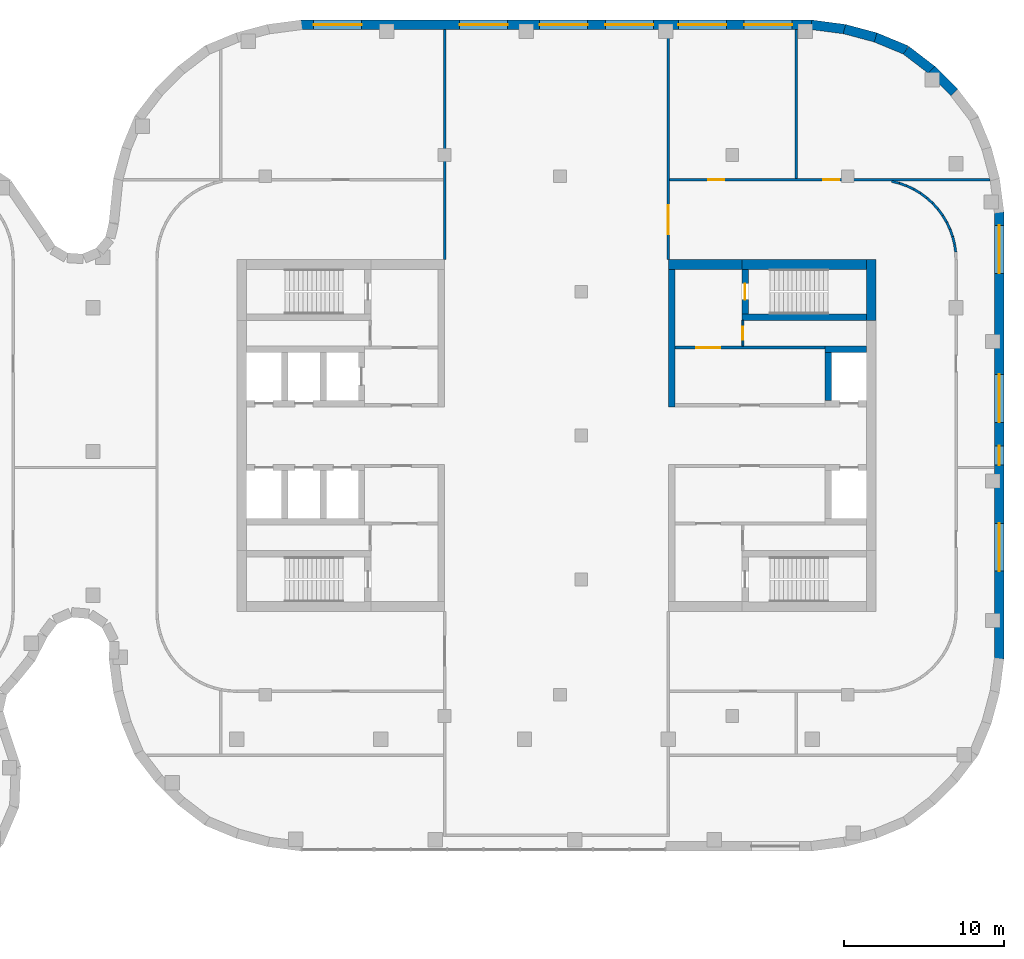
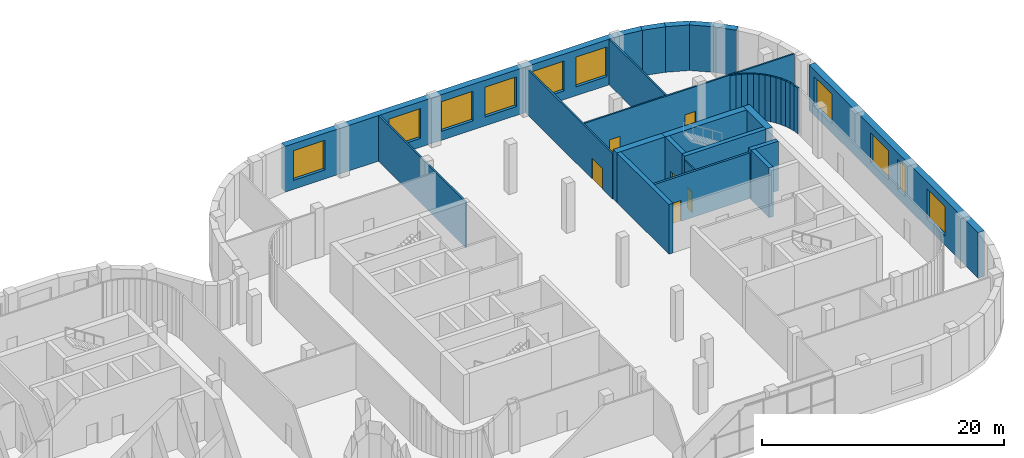
# One storey, part 20 of 24: 34 walls, 10 windows, 6 doors, 16 openings.
"""IFC4 building model written with IfcOpenShell, lengths in metres."""

from ifc_helpers import new_model, si_unit, direction, frame, frame_2d, origin, place, context, subcontext, project, spatial, rectangle, extrude, material, layer, layer_set, type_object, element, fill, save


model = new_model("IFC4")

# Units and contexts
model_context = context("Model", 3, precision=1e-05, world=origin(), true_north=direction((0.0, 1.0)))
body_context = subcontext(model_context, "Body", "Model", "MODEL_VIEW")
ifc_project = project(units=[si_unit("LENGTHUNIT", "METRE"), si_unit("AREAUNIT", "SQUARE_METRE"), si_unit("VOLUMEUNIT", "CUBIC_METRE"), si_unit("PLANEANGLEUNIT", "RADIAN"), si_unit("MASSUNIT", "GRAM", prefix="KILO")], contexts=[model_context])

# Site, building, storey
site_placement = place(None, origin())
site = spatial("IfcSite", under=ifc_project, at=site_placement, CompositionType="ELEMENT")
building_placement = place(site_placement, origin())
building = spatial("IfcBuilding", under=site, at=building_placement, Name="Skarvind Civic Tower", CompositionType="ELEMENT")
storey_placement = place(building_placement, frame((0.0, 0.0, 12.5)))
storey = spatial("IfcBuildingStorey", under=building, at=storey_placement, Name="L02", CompositionType="ELEMENT", Elevation=12.5)

# Wall, opening, door
ifc_material_1 = material(Name="Fire-rated masonry partition", Category="masonry")
ifc_layer_1 = layer(ifc_material_1, 0.199951171875)
ifc_layer_set_1 = layer_set([ifc_layer_1], Name="Core enclosure wall 200")
wall_type_1 = type_object("IfcWallType", Name="Core enclosure wall 200", PredefinedType="PARTITIONING", material=ifc_layer_set_1)
wall_1_placement = place(storey_placement, frame((154.39990234375, 133.5, 0.0), z_axis=(0.0, 0.0, 1.0), x_axis=(1.0, 0.0, 0.0)))
wall_1 = element("IfcWall", 1, at=wall_1_placement, inside=storey, type_object=wall_type_1, Name="Core wall CB", PredefinedType="PARTITIONING", context=body_context, shape_type="SweptSolid", body=[
    extrude(rectangle(XDim=9.400146484375, YDim=0.199951171875, at=frame_2d((4.7001953125, 0.0))), origin(), (0.0, 0.0, 1.0), 4.60009765625),
])
opening_1_placement = place(wall_1_placement, frame((1.35009765625, 0.0, 0.0)))
opening_1 = element("IfcOpeningElement", 2, at=opening_1_placement, cuts=wall_1, Name="Opening D-L02-CB-08", PredefinedType="OPENING", context=body_context, shape_type="SweptSolid", body=[
    extrude(rectangle(XDim=1.5, YDim=2.10009765625, at=frame_2d((0.75, 1.050048828125))), frame((0.0, 0.10986328125, 0.0), z_axis=(0.0, -1.0, 0.0), x_axis=(1.0, 0.0, 0.0)), (0.0, 0.0, 1.0), 0.219970703125),
])
ifc_material_2 = material(Name="Fire-rated steel door", Category="steel")
door_type_1 = type_object("IfcDoorType", Name="Fire door 1500", OperationType="NOTDEFINED", PredefinedType="DOOR", material=ifc_material_2)
door_1_placement = place(opening_1_placement, origin())
door_1 = element("IfcDoor", 3, at=door_1_placement, inside=storey, type_object=door_type_1, Name="Fire door", OperationType="DOUBLE_DOOR_SINGLE_SWING", OverallHeight=2.10009765625, OverallWidth=1.5, PredefinedType="DOOR", context=body_context, shape_type="SweptSolid", body=[
    extrude(rectangle(XDim=1.5, YDim=2.10009765625, at=frame_2d((0.75, 1.050048828125))), frame((0.0, 0.02490234375, 0.0), z_axis=(0.0, -1.0, 0.0), x_axis=(1.0, 0.0, 0.0)), (0.0, 0.0, 1.0), 0.050048828125),
])
fill(opening_1, door_1)

# Wall
ifc_material_3 = material(Name="Concrete C80", Category="concrete")
ifc_layer_2 = layer(ifc_material_3, 0.39990234375)
ifc_layer_set_2 = layer_set([ifc_layer_2], Name="Core wall 400 C80")
wall_type_2 = type_object("IfcWallType", Name="Core wall 400 C80", PredefinedType="SHEAR", material=ifc_layer_set_2)
wall_2_placement = place(storey_placement, frame((166.39990234375, 135.39990234375, 0.0), z_axis=(0.0, 0.0, 1.0), x_axis=(-1.0, 0.0, 0.0)))
element("IfcWall", 4, at=wall_2_placement, inside=storey, type_object=wall_type_2, Name="Core wall CB south stair inner L02", PredefinedType="SHEAR", context=body_context, shape_type="SweptSolid", body=[
    extrude(rectangle(XDim=7.7998046875, YDim=0.39990234375, at=frame_2d((3.89990234375, 0.0))), origin(), (0.0, 0.0, 1.0), 5.0),
])

# Wall, opening, door
wall_3_placement = place(storey_placement, frame((158.800048828125, 138.39990234375, 0.0), z_axis=(0.0, 0.0, 1.0), x_axis=(0.0, -1.0, 0.0)))
wall_3 = element("IfcWall", 5, at=wall_3_placement, inside=storey, type_object=wall_type_2, Name="Core wall CB south stair end L02", PredefinedType="SHEAR", context=body_context, shape_type="SweptSolid", body=[
    extrude(rectangle(XDim=2.7998046875, YDim=0.39990234375, at=frame_2d((1.39990234375, 0.0))), origin(), (0.0, 0.0, 1.0), 5.0),
])
opening_2_placement = place(wall_3_placement, frame((0.89990234375, 0.0, 0.0)))
opening_2 = element("IfcOpeningElement", 6, at=opening_2_placement, cuts=wall_3, Name="Opening D-L02-CB-09", PredefinedType="OPENING", context=body_context, shape_type="SweptSolid", body=[
    extrude(rectangle(XDim=1.0, YDim=2.10009765625, at=frame_2d((0.5, 1.050048828125))), frame((0.0, 0.2099609375, 0.0), z_axis=(0.0, -1.0, 0.0), x_axis=(1.0, 0.0, 0.0)), (0.0, 0.0, 1.0), 0.419921875),
])
door_type_2 = type_object("IfcDoorType", Name="Fire door 1000", OperationType="NOTDEFINED", PredefinedType="DOOR", material=ifc_material_2)
door_2_placement = place(opening_2_placement, origin())
door_2 = element("IfcDoor", 7, at=door_2_placement, inside=storey, type_object=door_type_2, Name="Fire door", OperationType="SINGLE_SWING_RIGHT", OverallHeight=2.10009765625, OverallWidth=1.0, PredefinedType="DOOR", context=body_context, shape_type="SweptSolid", body=[
    extrude(rectangle(XDim=1.0, YDim=2.10009765625, at=frame_2d((0.5, 1.050048828125))), frame((0.0, 0.02490234375, 0.0), z_axis=(0.0, -1.0, 0.0), x_axis=(1.0, 0.0, 0.0)), (0.0, 0.0, 1.0), 0.050048828125),
])
fill(opening_2, door_2)

# Walls
wall_4_placement = place(storey_placement, frame((166.39990234375, 133.39990234375, 0.0), z_axis=(0.0, 0.0, 1.0), x_axis=(-1.0, 0.0, 0.0)))
element("IfcWall", 8, at=wall_4_placement, inside=storey, type_object=wall_type_2, Name="Core wall CB south lift row back L02", PredefinedType="SHEAR", context=body_context, shape_type="SweptSolid", body=[
    extrude(rectangle(XDim=2.599853515625, YDim=0.39990234375, at=frame_2d((1.2998046875, 0.0))), origin(), (0.0, 0.0, 1.0), 5.0),
])
wall_5_placement = place(storey_placement, frame((164.0, 133.199951171875, 0.0), z_axis=(0.0, 0.0, 1.0), x_axis=(0.0, -1.0, 0.0)))
element("IfcWall", 9, at=wall_5_placement, inside=storey, type_object=wall_type_2, Name="Core wall CB south lift row division 1 L02", PredefinedType="SHEAR", context=body_context, shape_type="SweptSolid", body=[
    extrude(rectangle(XDim=3.0, YDim=0.39990234375, at=frame_2d((1.5, 0.0))), origin(), (0.0, 0.0, 1.0), 5.0),
])
wall_6_placement = place(storey_placement, frame((154.199951171875, 138.39990234375, 0.0), z_axis=(0.0, 0.0, 1.0), x_axis=(0.0, -1.0, 0.0)))
element("IfcWall", 10, at=wall_6_placement, inside=storey, type_object=wall_type_2, Name="Core wall CB south inner face L02", PredefinedType="SHEAR", context=body_context, shape_type="SweptSolid", body=[
    extrude(rectangle(XDim=8.599853515625, YDim=0.39990234375, at=frame_2d((4.2998046875, 0.0))), origin(), (0.0, 0.0, 1.0), 5.0),
])
ifc_layer_3 = layer(ifc_material_3, 0.60009765625)
ifc_layer_set_3 = layer_set([ifc_layer_3], Name="Core wall 600 C80")
wall_type_3 = type_object("IfcWallType", Name="Core wall 600 C80", PredefinedType="SHEAR", material=ifc_layer_set_3)
wall_7_placement = place(storey_placement, frame((166.699951171875, 139.0, 0.0), z_axis=(0.0, 0.0, 1.0), x_axis=(0.0, -1.0, 0.0)))
element("IfcWall", 11, at=wall_7_placement, inside=storey, type_object=wall_type_3, Name="Core wall CB tip at the south stair L02", PredefinedType="SHEAR", context=body_context, shape_type="SweptSolid", body=[
    extrude(rectangle(XDim=3.800048828125, YDim=0.60009765625, at=frame_2d((1.89990234375, 0.0))), origin(), (0.0, 0.0, 1.0), 5.0),
])
wall_8_placement = place(storey_placement, frame((166.39990234375, 138.699951171875, 0.0), z_axis=(0.0, 0.0, 1.0), x_axis=(-1.0, 0.0, 0.0)))
element("IfcWall", 12, at=wall_8_placement, inside=storey, type_object=wall_type_3, Name="Core wall CB south side at the stair L02", PredefinedType="SHEAR", context=body_context, shape_type="SweptSolid", body=[
    extrude(rectangle(XDim=7.7998046875, YDim=0.60009765625, at=frame_2d((3.89990234375, 0.0))), origin(), (0.0, 0.0, 1.0), 5.0),
])
wall_9_placement = place(storey_placement, frame((158.60009765625, 138.699951171875, 0.0), z_axis=(0.0, 0.0, 1.0), x_axis=(-1.0, 0.0, 0.0)))
element("IfcWall", 13, at=wall_9_placement, inside=storey, type_object=wall_type_3, Name="Core wall CB south side L02", PredefinedType="SHEAR", context=body_context, shape_type="SweptSolid", body=[
    extrude(rectangle(XDim=4.60009765625, YDim=0.60009765625, at=frame_2d((2.300048828125, 0.0))), origin(), (0.0, 0.0, 1.0), 5.0),
])
ifc_material_4 = material(Name="Plasterboard partition on steel studs", Category="steel")
ifc_layer_4 = layer(ifc_material_4, 0.14990234375)
ifc_layer_set_4 = layer_set([ifc_layer_4], Name="PARTITION 150")
wall_type_4 = type_object("IfcWallType", Name="PARTITION 150", PredefinedType="PARTITIONING", material=ifc_layer_set_4)
wall_10_placement = place(storey_placement, frame((140.0, 139.0, 0.0), z_axis=(0.0, 0.0, 1.0), x_axis=(0.0, 1.0, 0.0)))
element("IfcWall", 14, at=wall_10_placement, inside=storey, type_object=wall_type_4, Name="Podium partition L02 268", PredefinedType="PARTITIONING", context=body_context, shape_type="SweptSolid", body=[
    extrude(rectangle(XDim=14.39990234375, YDim=0.14990234375, at=frame_2d((7.199951171875, 0.0))), origin(), (0.0, 0.0, 1.0), 4.60009765625),
])

# Wall, opening, door
wall_11_placement = place(storey_placement, frame((154.0, 153.39990234375, 0.0), z_axis=(0.0, 0.0, 1.0), x_axis=(0.0, -1.0, 0.0)))
wall_11 = element("IfcWall", 15, at=wall_11_placement, inside=storey, type_object=wall_type_4, Name="Podium partition L02 272", PredefinedType="PARTITIONING", context=body_context, shape_type="SweptSolid", body=[
    extrude(rectangle(XDim=14.39990234375, YDim=0.14990234375, at=frame_2d((7.199951171875, 0.0))), origin(), (0.0, 0.0, 1.0), 4.60009765625),
])
opening_3_placement = place(wall_11_placement, frame((11.0, 0.0, 0.0)))
opening_3 = element("IfcOpeningElement", 16, at=opening_3_placement, cuts=wall_11, Name="Opening L02-D236", PredefinedType="OPENING", context=body_context, shape_type="SweptSolid", body=[
    extrude(rectangle(XDim=1.800048828125, YDim=2.10009765625, at=frame_2d((0.89990234375, 1.050048828125))), frame((0.0, 0.0849609375, 0.0), z_axis=(0.0, -1.0, 0.0), x_axis=(1.0, 0.0, 0.0)), (0.0, 0.0, 1.0), 0.169921875),
])
ifc_material_5 = material(Name="Timber veneer door leaf", Category="wood")
door_type_3 = type_object("IfcDoorType", Name="DOOR 1800X2100 DOUBLE TIMBER", OperationType="NOTDEFINED", PredefinedType="DOOR", material=ifc_material_5)
door_3_placement = place(opening_3_placement, origin())
door_3 = element("IfcDoor", 17, at=door_3_placement, inside=storey, type_object=door_type_3, Name="DOOR DOOR", OperationType="DOUBLE_DOOR_SINGLE_SWING", OverallHeight=2.10009765625, OverallWidth=1.800048828125, PredefinedType="DOOR", context=body_context, shape_type="SweptSolid", body=[
    extrude(rectangle(XDim=1.800048828125, YDim=2.10009765625, at=frame_2d((0.89990234375, 1.050048828125))), frame((0.0, 0.02490234375, 0.0), z_axis=(0.0, -1.0, 0.0), x_axis=(1.0, 0.0, 0.0)), (0.0, 0.0, 1.0), 0.050048828125),
])
fill(opening_3, door_3)

# Wall, openings, doors
wall_12_placement = place(storey_placement, frame((154.074951171875, 144.0, 0.0), z_axis=(0.0, 0.0, 1.0), x_axis=(1.0, 0.0, 0.0)))
wall_12 = element("IfcWall", 18, at=wall_12_placement, inside=storey, type_object=wall_type_4, Name="Podium partition L02 273", PredefinedType="PARTITIONING", context=body_context, shape_type="SweptSolid", body=[
    extrude(rectangle(XDim=20.050048828125, YDim=0.14990234375, at=frame_2d((10.02490234375, 0.0))), origin(), (0.0, 0.0, 1.0), 4.60009765625),
])
opening_4_placement = place(wall_12_placement, frame((2.427001953125, 0.0, 0.0)))
opening_4 = element("IfcOpeningElement", 19, at=opening_4_placement, cuts=wall_12, Name="Opening L02-D237", PredefinedType="OPENING", context=body_context, shape_type="SweptSolid", body=[
    extrude(rectangle(XDim=1.0, YDim=2.10009765625, at=frame_2d((0.5, 1.050048828125))), frame((0.0, 0.0849609375, 0.0), z_axis=(0.0, -1.0, 0.0), x_axis=(1.0, 0.0, 0.0)), (0.0, 0.0, 1.0), 0.169921875),
])
opening_5_placement = place(wall_12_placement, frame((9.623046875, 0.0, 0.0)))
opening_5 = element("IfcOpeningElement", 20, at=opening_5_placement, cuts=wall_12, Name="Opening L02-D239", PredefinedType="OPENING", context=body_context, shape_type="SweptSolid", body=[
    extrude(rectangle(XDim=1.0, YDim=2.10009765625, at=frame_2d((0.5, 1.050048828125))), frame((0.0, 0.0849609375, 0.0), z_axis=(0.0, -1.0, 0.0), x_axis=(1.0, 0.0, 0.0)), (0.0, 0.0, 1.0), 0.169921875),
])
door_type_4 = type_object("IfcDoorType", Name="DOOR 1000X2100 TIMBER", OperationType="NOTDEFINED", PredefinedType="DOOR", material=ifc_material_5)
door_4_placement = place(opening_4_placement, origin())
door_4 = element("IfcDoor", 21, at=door_4_placement, inside=storey, type_object=door_type_4, Name="DOOR DOOR", OperationType="SINGLE_SWING_LEFT", OverallHeight=2.10009765625, OverallWidth=1.0, PredefinedType="DOOR", context=body_context, shape_type="SweptSolid", body=[
    extrude(rectangle(XDim=1.0, YDim=2.10009765625, at=frame_2d((0.5, 1.050048828125))), frame((0.0, 0.02490234375, 0.0), z_axis=(0.0, -1.0, 0.0), x_axis=(1.0, 0.0, 0.0)), (0.0, 0.0, 1.0), 0.050048828125),
])
fill(opening_4, door_4)
door_5_placement = place(opening_5_placement, origin())
door_5 = element("IfcDoor", 22, at=door_5_placement, inside=storey, type_object=door_type_4, Name="DOOR DOOR", OperationType="SINGLE_SWING_LEFT", OverallHeight=2.10009765625, OverallWidth=1.0, PredefinedType="DOOR", context=body_context, shape_type="SweptSolid", body=[
    extrude(rectangle(XDim=1.0, YDim=2.10009765625, at=frame_2d((0.5, 1.050048828125))), frame((0.0, 0.02490234375, 0.0), z_axis=(0.0, -1.0, 0.0), x_axis=(1.0, 0.0, 0.0)), (0.0, 0.0, 1.0), 0.050048828125),
])
fill(opening_5, door_5)

# Walls
wall_13_placement = place(storey_placement, frame((162.0, 144.074951171875, 0.0), z_axis=(0.0, 0.0, 1.0), x_axis=(0.0, 1.0, 0.0)))
element("IfcWall", 23, at=wall_13_placement, inside=storey, type_object=wall_type_4, Name="Podium partition L02 275", PredefinedType="PARTITIONING", context=body_context, shape_type="SweptSolid", body=[
    extrude(rectangle(XDim=9.324951171875, YDim=0.14990234375, at=frame_2d((4.66259765625, 0.0))), origin(), (0.0, 0.0, 1.0), 4.60009765625),
])
wall_14_placement = place(storey_placement, frame((167.970947265625, 143.905029296875, 0.0), z_axis=(0.0, 0.0, 1.0), x_axis=(0.970113715952, -0.242650732785, 0.0)))
element("IfcWall", 24, at=wall_14_placement, inside=storey, type_object=wall_type_4, Name="Podium partition L02 282", PredefinedType="PARTITIONING", context=body_context, shape_type="SweptSolid", body=[
    extrude(rectangle(XDim=0.4990234375, YDim=0.14990234375, at=frame_2d((0.24951171875, 0.0))), origin(), (0.0, 0.0, 1.0), 4.60009765625),
])
for number, where, z_axis, x_axis, name in (
    (25, (168.447021484375, 143.785888671875, 0.0), (0.0, 0.0, 1.0), (0.941442168887, -0.3371744988, 0.0), "Podium partition L02 284"),
    (26, (168.909912109375, 143.62109375, 0.0), (0.0, 0.0, 1.0), (0.903827641978, -0.427896709028, 0.0), "Podium partition L02 286"),
):
    element("IfcWall", number, at=place(storey_placement, frame(where, z_axis=z_axis, x_axis=x_axis)), inside=storey, type_object=wall_type_4, Name=name, PredefinedType="PARTITIONING", context=body_context, shape_type="SweptSolid", body=[
        extrude(rectangle(XDim=0.498046875, YDim=0.14990234375, at=frame_2d((0.2490234375, 0.0))), origin(), (0.0, 0.0, 1.0), 4.60009765625),
    ])
wall_15_placement = place(storey_placement, frame((169.35400390625, 143.412109375, 0.0), z_axis=(0.0, 0.0, 1.0), x_axis=(0.85671397893, -0.515791778052, 0.0)))
element("IfcWall", 27, at=wall_15_placement, inside=storey, type_object=wall_type_4, Name="Podium partition L02 288", PredefinedType="PARTITIONING", context=body_context, shape_type="SweptSolid", body=[
    extrude(rectangle(XDim=0.49853515625, YDim=0.14990234375, at=frame_2d((0.249267578125, 0.0))), origin(), (0.0, 0.0, 1.0), 4.60009765625),
])
wall_16_placement = place(storey_placement, frame((169.77490234375, 143.158935546875, 0.0), z_axis=(0.0, 0.0, 1.0), x_axis=(0.80404358372, -0.594570362092, 0.0)))
element("IfcWall", 28, at=wall_16_placement, inside=storey, type_object=wall_type_4, Name="Podium partition L02 290", PredefinedType="PARTITIONING", context=body_context, shape_type="SweptSolid", body=[
    extrude(rectangle(XDim=0.49755859375, YDim=0.14990234375, at=frame_2d((0.248779296875, 0.0))), origin(), (0.0, 0.0, 1.0), 4.60009765625),
])
for number, where, z_axis, x_axis, name in (
    (29, (170.1689453125, 142.866943359375, 0.0), (0.0, 0.0, 1.0), (0.742416880587, -0.66993818776, 0.0), "Podium partition L02 292"),
    (30, (170.532958984375, 142.5390625, 0.0), (0.0, 0.0, 1.0), (0.66993818776, -0.742416880587, 0.0), "Podium partition L02 294"),
):
    element("IfcWall", number, at=place(storey_placement, frame(where, z_axis=z_axis, x_axis=x_axis)), inside=storey, type_object=wall_type_4, Name=name, PredefinedType="PARTITIONING", context=body_context, shape_type="SweptSolid", body=[
        extrude(rectangle(XDim=0.49853515625, YDim=0.14990234375, at=frame_2d((0.249267578125, 0.0))), origin(), (0.0, 0.0, 1.0), 4.60009765625),
    ])
wall_17_placement = place(storey_placement, frame((170.863037109375, 142.175048828125, 0.0), z_axis=(0.0, 0.0, 1.0), x_axis=(0.594570362092, -0.80404358372, 0.0)))
element("IfcWall", 31, at=wall_17_placement, inside=storey, type_object=wall_type_4, Name="Podium partition L02 296", PredefinedType="PARTITIONING", context=body_context, shape_type="SweptSolid", body=[
    extrude(rectangle(XDim=0.49755859375, YDim=0.14990234375, at=frame_2d((0.248779296875, 0.0))), origin(), (0.0, 0.0, 1.0), 4.60009765625),
])
wall_18_placement = place(storey_placement, frame((171.155029296875, 141.781005859375, 0.0), z_axis=(0.0, 0.0, 1.0), x_axis=(0.515791778052, -0.85671397893, 0.0)))
element("IfcWall", 32, at=wall_18_placement, inside=storey, type_object=wall_type_4, Name="Podium partition L02 298", PredefinedType="PARTITIONING", context=body_context, shape_type="SweptSolid", body=[
    extrude(rectangle(XDim=0.49853515625, YDim=0.14990234375, at=frame_2d((0.249267578125, 0.0))), origin(), (0.0, 0.0, 1.0), 4.60009765625),
])
for number, where, z_axis, x_axis, name in (
    (33, (171.407958984375, 141.360107421875, 0.0), (0.0, 0.0, 1.0), (0.427896709028, -0.903827641978, 0.0), "Podium partition L02 300"),
    (34, (171.617919921875, 140.916015625, 0.0), (0.0, 0.0, 1.0), (0.3371744988, -0.941442168887, 0.0), "Podium partition L02 302"),
):
    element("IfcWall", number, at=place(storey_placement, frame(where, z_axis=z_axis, x_axis=x_axis)), inside=storey, type_object=wall_type_4, Name=name, PredefinedType="PARTITIONING", context=body_context, shape_type="SweptSolid", body=[
        extrude(rectangle(XDim=0.498046875, YDim=0.14990234375, at=frame_2d((0.2490234375, 0.0))), origin(), (0.0, 0.0, 1.0), 4.60009765625),
    ])
wall_19_placement = place(storey_placement, frame((171.783935546875, 140.455078125, 0.0), z_axis=(0.0, 0.0, 1.0), x_axis=(0.242650732785, -0.970113715952, 0.0)))
element("IfcWall", 35, at=wall_19_placement, inside=storey, type_object=wall_type_4, Name="Podium partition L02 304", PredefinedType="PARTITIONING", context=body_context, shape_type="SweptSolid", body=[
    extrude(rectangle(XDim=0.4990234375, YDim=0.14990234375, at=frame_2d((0.24951171875, 0.0))), origin(), (0.0, 0.0, 1.0), 4.60009765625),
])
wall_20_placement = place(storey_placement, frame((171.903076171875, 139.97900390625, 0.0), z_axis=(0.0, 0.0, 1.0), x_axis=(0.148412307247, -0.988925572052, 0.0)))
element("IfcWall", 36, at=wall_20_placement, inside=storey, type_object=wall_type_4, Name="Podium partition L02 306", PredefinedType="PARTITIONING", context=body_context, shape_type="SweptSolid", body=[
    extrude(rectangle(XDim=0.49853515625, YDim=0.14990234375, at=frame_2d((0.249267578125, 0.0))), origin(), (0.0, 0.0, 1.0), 4.60009765625),
])

# Wall, opening, door
ifc_layer_5 = layer(ifc_material_1, 0.125)
ifc_layer_set_5 = layer_set([ifc_layer_5], Name="Riser wall 125")
wall_type_5 = type_object("IfcWallType", Name="Riser wall 125", PredefinedType="PARTITIONING", material=ifc_layer_set_5)
wall_21_placement = place(storey_placement, frame((158.66259765625, 133.60009765625, 0.0), z_axis=(0.0, 0.0, 1.0), x_axis=(0.0, 1.0, 0.0)))
wall_21 = element("IfcWall", 37, at=wall_21_placement, inside=storey, type_object=wall_type_5, Name="Core wall CB", PredefinedType="PARTITIONING", context=body_context, shape_type="SweptSolid", body=[
    extrude(rectangle(XDim=1.599853515625, YDim=0.125, at=frame_2d((0.7998046875, 0.0))), origin(), (0.0, 0.0, 1.0), 4.60009765625),
])
opening_6_placement = place(wall_21_placement, frame((0.39990234375, 0.0, 0.0)))
opening_6 = element("IfcOpeningElement", 38, at=opening_6_placement, cuts=wall_21, Name="Opening D-L02-CB-10", PredefinedType="OPENING", context=body_context, shape_type="SweptSolid", body=[
    extrude(rectangle(XDim=0.800048828125, YDim=2.10009765625, at=frame_2d((0.39990234375, 1.050048828125))), frame((0.0, 0.072509765625, 0.0), z_axis=(0.0, -1.0, 0.0), x_axis=(1.0, 0.0, 0.0)), (0.0, 0.0, 1.0), 0.14501953125),
])
door_type_5 = type_object("IfcDoorType", Name="Core riser door 800", OperationType="NOTDEFINED", PredefinedType="DOOR", material=ifc_material_2)
door_6_placement = place(opening_6_placement, origin())
door_6 = element("IfcDoor", 39, at=door_6_placement, inside=storey, type_object=door_type_5, Name="Riser door", OperationType="SINGLE_SWING_LEFT", OverallHeight=2.10009765625, OverallWidth=0.800048828125, PredefinedType="DOOR", context=body_context, shape_type="SweptSolid", body=[
    extrude(rectangle(XDim=0.800048828125, YDim=2.10009765625, at=frame_2d((0.39990234375, 1.050048828125))), frame((0.0, 0.02490234375, 0.0), z_axis=(0.0, -1.0, 0.0), x_axis=(1.0, 0.0, 0.0)), (0.0, 0.0, 1.0), 0.050048828125),
])
fill(opening_6, door_6)

# Wall, openings, windows
ifc_material_6 = material(Name="Limestone masonry cladding on insulated backing", Category="masonry")
ifc_layer_6 = layer(ifc_material_6, 0.60009765625)
ifc_layer_set_6 = layer_set([ifc_layer_6], Name="WX1 STONE FACADE WALL 600")
wall_type_6 = type_object("IfcWallType", Name="WX1 STONE FACADE WALL 600", PredefinedType="SOLIDWALL", material=ifc_layer_set_6)
wall_22_placement = place(storey_placement, frame((174.699951171875, 141.978271484375, 0.0), z_axis=(0.0, 0.0, 1.0), x_axis=(0.0, -1.0, 0.0)))
wall_22 = element("IfcWall", 40, at=wall_22_placement, inside=storey, type_object=wall_type_6, Name="STONE FACADE WALL", PredefinedType="SOLIDWALL", context=body_context, shape_type="SweptSolid", body=[
    extrude(rectangle(XDim=27.95654296875, YDim=0.60009765625, at=frame_2d((13.978271484375, 0.0))), origin(), (0.0, 0.0, 1.0), 4.60009765625),
])
opening_7_placement = place(wall_22_placement, frame((0.82958984375, 0.0, 0.89990234375)))
opening_7 = element("IfcOpeningElement", 41, at=opening_7_placement, cuts=wall_22, Name="Opening WN2", PredefinedType="OPENING", context=body_context, shape_type="SweptSolid", body=[
    extrude(rectangle(XDim=3.0, YDim=3.0, at=frame_2d((1.5, 1.5))), frame((0.0, 0.31005859375, 0.0), z_axis=(0.0, -1.0, 0.0), x_axis=(1.0, 0.0, 0.0)), (0.0, 0.0, 1.0), 0.6201171875),
])
opening_8_placement = place(wall_22_placement, frame((10.1484375, 0.0, 0.89990234375)))
opening_8 = element("IfcOpeningElement", 42, at=opening_8_placement, cuts=wall_22, Name="Opening WN2", PredefinedType="OPENING", context=body_context, shape_type="SweptSolid", body=[
    extrude(rectangle(XDim=3.0, YDim=3.0, at=frame_2d((1.5, 1.5))), frame((0.0, 0.31005859375, 0.0), z_axis=(0.0, -1.0, 0.0), x_axis=(1.0, 0.0, 0.0)), (0.0, 0.0, 1.0), 0.6201171875),
])
opening_9_placement = place(wall_22_placement, frame((14.628173828125, 0.0, 0.89990234375)))
opening_9 = element("IfcOpeningElement", 43, at=opening_9_placement, cuts=wall_22, Name="Opening WN6", PredefinedType="OPENING", context=body_context, shape_type="SweptSolid", body=[
    extrude(rectangle(XDim=1.199951171875, YDim=3.0, at=frame_2d((0.60009765625, 1.5))), frame((0.0, 0.31005859375, 0.0), z_axis=(0.0, -1.0, 0.0), x_axis=(1.0, 0.0, 0.0)), (0.0, 0.0, 1.0), 0.6201171875),
])
opening_10_placement = place(wall_22_placement, frame((19.46728515625, 0.0, 0.89990234375)))
opening_10 = element("IfcOpeningElement", 44, at=opening_10_placement, cuts=wall_22, Name="Opening WN2", PredefinedType="OPENING", context=body_context, shape_type="SweptSolid", body=[
    extrude(rectangle(XDim=3.0, YDim=3.0, at=frame_2d((1.5, 1.5))), frame((0.0, 0.31005859375, 0.0), z_axis=(0.0, -1.0, 0.0), x_axis=(1.0, 0.0, 0.0)), (0.0, 0.0, 1.0), 0.6201171875),
])
ifc_material_7 = material(Name="Timber frame, double glazing, timber-lined reveal", Category="wood")
window_type_1 = type_object("IfcWindowType", Name="WN2 PODIUM STONE WINDOW 3000 x 3000", PartitioningType="SINGLE_PANEL", PredefinedType="WINDOW", material=ifc_material_7)
window_1_placement = place(opening_7_placement, origin())
window_1 = element("IfcWindow", 45, at=window_1_placement, inside=storey, type_object=window_type_1, Name="WN2 WINDOW", OverallHeight=3.0, OverallWidth=3.0, PartitioningType="SINGLE_PANEL", PredefinedType="WINDOW", context=body_context, shape_type="SweptSolid", body=[
    extrude(rectangle(XDim=3.0, YDim=3.0, at=frame_2d((1.5, 1.5))), frame((0.0, 0.030029296875, 0.0), z_axis=(0.0, -1.0, 0.0), x_axis=(1.0, 0.0, 0.0)), (0.0, 0.0, 1.0), 0.06005859375),
])
fill(opening_7, window_1)
window_2_placement = place(opening_8_placement, origin())
window_2 = element("IfcWindow", 46, at=window_2_placement, inside=storey, type_object=window_type_1, Name="WN2 WINDOW", OverallHeight=3.0, OverallWidth=3.0, PartitioningType="SINGLE_PANEL", PredefinedType="WINDOW", context=body_context, shape_type="SweptSolid", body=[
    extrude(rectangle(XDim=3.0, YDim=3.0, at=frame_2d((1.5, 1.5))), frame((0.0, 0.030029296875, 0.0), z_axis=(0.0, -1.0, 0.0), x_axis=(1.0, 0.0, 0.0)), (0.0, 0.0, 1.0), 0.06005859375),
])
fill(opening_8, window_2)
window_3_placement = place(opening_10_placement, origin())
window_3 = element("IfcWindow", 47, at=window_3_placement, inside=storey, type_object=window_type_1, Name="WN2 WINDOW", OverallHeight=3.0, OverallWidth=3.0, PartitioningType="SINGLE_PANEL", PredefinedType="WINDOW", context=body_context, shape_type="SweptSolid", body=[
    extrude(rectangle(XDim=3.0, YDim=3.0, at=frame_2d((1.5, 1.5))), frame((0.0, 0.030029296875, 0.0), z_axis=(0.0, -1.0, 0.0), x_axis=(1.0, 0.0, 0.0)), (0.0, 0.0, 1.0), 0.06005859375),
])
fill(opening_10, window_3)
window_type_2 = type_object("IfcWindowType", Name="WN6 NARROW PODIUM WINDOW 1200 x 3000", PartitioningType="SINGLE_PANEL", PredefinedType="WINDOW", material=ifc_material_7)
window_4_placement = place(opening_9_placement, origin())
window_4 = element("IfcWindow", 48, at=window_4_placement, inside=storey, type_object=window_type_2, Name="WN6 WINDOW", OverallHeight=3.0, OverallWidth=1.199951171875, PartitioningType="SINGLE_PANEL", PredefinedType="WINDOW", context=body_context, shape_type="SweptSolid", body=[
    extrude(rectangle(XDim=1.199951171875, YDim=3.0, at=frame_2d((0.60009765625, 1.5))), frame((0.0, 0.030029296875, 0.0), z_axis=(0.0, -1.0, 0.0), x_axis=(1.0, 0.0, 0.0)), (0.0, 0.0, 1.0), 0.06005859375),
])
fill(opening_9, window_4)

# Walls
wall_23_placement = place(storey_placement, frame((170.463134765625, 150.890380859375, 0.0), z_axis=(0.0, 0.0, 1.0), x_axis=(0.707106781187, -0.707106781187, 0.0)))
element("IfcWall", 49, at=wall_23_placement, inside=storey, type_object=wall_type_6, Name="STONE FACADE WALL", PredefinedType="SOLIDWALL", context=body_context, shape_type="SweptSolid", body=[
    extrude(rectangle(XDim=2.018310546875, YDim=0.60009765625, at=frame_2d((1.00927734375, 0.0))), origin(), (0.0, 0.0, 1.0), 4.60009765625),
])
wall_24_placement = place(storey_placement, frame((168.87158203125, 152.109375, 0.0), z_axis=(0.0, 0.0, 1.0), x_axis=(0.793125485267, -0.609058260448, 0.0)))
element("IfcWall", 50, at=wall_24_placement, inside=storey, type_object=wall_type_6, Name="STONE FACADE WALL", PredefinedType="SOLIDWALL", context=body_context, shape_type="SweptSolid", body=[
    extrude(rectangle(XDim=2.0439453125, YDim=0.60009765625, at=frame_2d((1.02197265625, 0.0))), origin(), (0.0, 0.0, 1.0), 4.60009765625),
])
wall_25_placement = place(storey_placement, frame((166.9306640625, 152.921142578125, 0.0), z_axis=(0.0, 0.0, 1.0), x_axis=(0.924006983526, -0.382375593358, 0.0)))
element("IfcWall", 51, at=wall_25_placement, inside=storey, type_object=wall_type_6, Name="STONE FACADE WALL", PredefinedType="SOLIDWALL", context=body_context, shape_type="SweptSolid", body=[
    extrude(rectangle(XDim=2.114013671875, YDim=0.60009765625, at=frame_2d((1.05712890625, 0.0))), origin(), (0.0, 0.0, 1.0), 4.60009765625),
])
wall_26_placement = place(storey_placement, frame((165.013916015625, 153.431884765625, 0.0), z_axis=(0.0, 0.0, 1.0), x_axis=(0.965929732323, -0.258804467146, 0.0)))
element("IfcWall", 52, at=wall_26_placement, inside=storey, type_object=wall_type_6, Name="STONE FACADE WALL", PredefinedType="SOLIDWALL", context=body_context, shape_type="SweptSolid", body=[
    extrude(rectangle(XDim=2.0224609375, YDim=0.60009765625, at=frame_2d((1.01123046875, 0.0))), origin(), (0.0, 0.0, 1.0), 4.60009765625),
])
wall_27_placement = place(storey_placement, frame((162.93896484375, 153.70263671875, 0.0), z_axis=(0.0, 0.0, 1.0), x_axis=(0.991440646942, -0.130558200013, 0.0)))
element("IfcWall", 53, at=wall_27_placement, inside=storey, type_object=wall_type_6, Name="STONE FACADE WALL", PredefinedType="SOLIDWALL", context=body_context, shape_type="SweptSolid", body=[
    extrude(rectangle(XDim=2.1318359375, YDim=0.60009765625, at=frame_2d((1.06591796875, 0.0))), origin(), (0.0, 0.0, 1.0), 4.60009765625),
])

# Wall, openings, windows
wall_28_placement = place(storey_placement, frame((131.021728515625, 153.699951171875, 0.0), z_axis=(0.0, 0.0, 1.0), x_axis=(1.0, 0.0, 0.0)))
wall_28 = element("IfcWall", 54, at=wall_28_placement, inside=storey, type_object=wall_type_6, Name="STONE FACADE WALL", PredefinedType="SOLIDWALL", context=body_context, shape_type="SweptSolid", body=[
    extrude(rectangle(XDim=31.95654296875, YDim=0.60009765625, at=frame_2d((15.978271484375, 0.0))), origin(), (0.0, 0.0, 1.0), 4.60009765625),
])
opening_11_placement = place(wall_28_placement, frame((0.78271484375, 0.0, 0.89990234375)))
opening_11 = element("IfcOpeningElement", 55, at=opening_11_placement, cuts=wall_28, Name="Opening WN2", PredefinedType="OPENING", context=body_context, shape_type="SweptSolid", body=[
    extrude(rectangle(XDim=3.0, YDim=3.0, at=frame_2d((1.5, 1.5))), frame((0.0, 0.31005859375, 0.0), z_axis=(0.0, -1.0, 0.0), x_axis=(1.0, 0.0, 0.0)), (0.0, 0.0, 1.0), 0.6201171875),
])
opening_12_placement = place(wall_28_placement, frame((9.9130859375, 0.0, 0.89990234375)))
opening_12 = element("IfcOpeningElement", 56, at=opening_12_placement, cuts=wall_28, Name="Opening WN2", PredefinedType="OPENING", context=body_context, shape_type="SweptSolid", body=[
    extrude(rectangle(XDim=3.0, YDim=3.0, at=frame_2d((1.5, 1.5))), frame((0.0, 0.31005859375, 0.0), z_axis=(0.0, -1.0, 0.0), x_axis=(1.0, 0.0, 0.0)), (0.0, 0.0, 1.0), 0.6201171875),
])
opening_13_placement = place(wall_28_placement, frame((14.92822265625, 0.0, 0.89990234375)))
opening_13 = element("IfcOpeningElement", 57, at=opening_13_placement, cuts=wall_28, Name="Opening WN2", PredefinedType="OPENING", context=body_context, shape_type="SweptSolid", body=[
    extrude(rectangle(XDim=3.0, YDim=3.0, at=frame_2d((1.5, 1.5))), frame((0.0, 0.31005859375, 0.0), z_axis=(0.0, -1.0, 0.0), x_axis=(1.0, 0.0, 0.0)), (0.0, 0.0, 1.0), 0.6201171875),
])
opening_14_placement = place(wall_28_placement, frame((19.04345703125, 0.0, 0.89990234375)))
opening_14 = element("IfcOpeningElement", 58, at=opening_14_placement, cuts=wall_28, Name="Opening WN2", PredefinedType="OPENING", context=body_context, shape_type="SweptSolid", body=[
    extrude(rectangle(XDim=3.0, YDim=3.0, at=frame_2d((1.5, 1.5))), frame((0.0, 0.31005859375, 0.0), z_axis=(0.0, -1.0, 0.0), x_axis=(1.0, 0.0, 0.0)), (0.0, 0.0, 1.0), 0.6201171875),
])
opening_15_placement = place(wall_28_placement, frame((23.608642578125, 0.0, 0.89990234375)))
opening_15 = element("IfcOpeningElement", 59, at=opening_15_placement, cuts=wall_28, Name="Opening WN2", PredefinedType="OPENING", context=body_context, shape_type="SweptSolid", body=[
    extrude(rectangle(XDim=3.0, YDim=3.0, at=frame_2d((1.5, 1.5))), frame((0.0, 0.31005859375, 0.0), z_axis=(0.0, -1.0, 0.0), x_axis=(1.0, 0.0, 0.0)), (0.0, 0.0, 1.0), 0.6201171875),
])
opening_16_placement = place(wall_28_placement, frame((27.723876953125, 0.0, 0.89990234375)))
opening_16 = element("IfcOpeningElement", 60, at=opening_16_placement, cuts=wall_28, Name="Opening WN2", PredefinedType="OPENING", context=body_context, shape_type="SweptSolid", body=[
    extrude(rectangle(XDim=3.0, YDim=3.0, at=frame_2d((1.5, 1.5))), frame((0.0, 0.31005859375, 0.0), z_axis=(0.0, -1.0, 0.0), x_axis=(1.0, 0.0, 0.0)), (0.0, 0.0, 1.0), 0.6201171875),
])
window_5_placement = place(opening_11_placement, origin())
window_5 = element("IfcWindow", 61, at=window_5_placement, inside=storey, type_object=window_type_1, Name="WN2 WINDOW", OverallHeight=3.0, OverallWidth=3.0, PartitioningType="SINGLE_PANEL", PredefinedType="WINDOW", context=body_context, shape_type="SweptSolid", body=[
    extrude(rectangle(XDim=3.0, YDim=3.0, at=frame_2d((1.5, 1.5))), frame((0.0, 0.030029296875, 0.0), z_axis=(0.0, -1.0, 0.0), x_axis=(1.0, 0.0, 0.0)), (0.0, 0.0, 1.0), 0.06005859375),
])
fill(opening_11, window_5)
window_6_placement = place(opening_12_placement, origin())
window_6 = element("IfcWindow", 62, at=window_6_placement, inside=storey, type_object=window_type_1, Name="WN2 WINDOW", OverallHeight=3.0, OverallWidth=3.0, PartitioningType="SINGLE_PANEL", PredefinedType="WINDOW", context=body_context, shape_type="SweptSolid", body=[
    extrude(rectangle(XDim=3.0, YDim=3.0, at=frame_2d((1.5, 1.5))), frame((0.0, 0.030029296875, 0.0), z_axis=(0.0, -1.0, 0.0), x_axis=(1.0, 0.0, 0.0)), (0.0, 0.0, 1.0), 0.06005859375),
])
fill(opening_12, window_6)
window_7_placement = place(opening_13_placement, origin())
window_7 = element("IfcWindow", 63, at=window_7_placement, inside=storey, type_object=window_type_1, Name="WN2 WINDOW", OverallHeight=3.0, OverallWidth=3.0, PartitioningType="SINGLE_PANEL", PredefinedType="WINDOW", context=body_context, shape_type="SweptSolid", body=[
    extrude(rectangle(XDim=3.0, YDim=3.0, at=frame_2d((1.5, 1.5))), frame((0.0, 0.030029296875, 0.0), z_axis=(0.0, -1.0, 0.0), x_axis=(1.0, 0.0, 0.0)), (0.0, 0.0, 1.0), 0.06005859375),
])
fill(opening_13, window_7)
window_8_placement = place(opening_14_placement, origin())
window_8 = element("IfcWindow", 64, at=window_8_placement, inside=storey, type_object=window_type_1, Name="WN2 WINDOW", OverallHeight=3.0, OverallWidth=3.0, PartitioningType="SINGLE_PANEL", PredefinedType="WINDOW", context=body_context, shape_type="SweptSolid", body=[
    extrude(rectangle(XDim=3.0, YDim=3.0, at=frame_2d((1.5, 1.5))), frame((0.0, 0.030029296875, 0.0), z_axis=(0.0, -1.0, 0.0), x_axis=(1.0, 0.0, 0.0)), (0.0, 0.0, 1.0), 0.06005859375),
])
fill(opening_14, window_8)
window_9_placement = place(opening_15_placement, origin())
window_9 = element("IfcWindow", 65, at=window_9_placement, inside=storey, type_object=window_type_1, Name="WN2 WINDOW", OverallHeight=3.0, OverallWidth=3.0, PartitioningType="SINGLE_PANEL", PredefinedType="WINDOW", context=body_context, shape_type="SweptSolid", body=[
    extrude(rectangle(XDim=3.0, YDim=3.0, at=frame_2d((1.5, 1.5))), frame((0.0, 0.030029296875, 0.0), z_axis=(0.0, -1.0, 0.0), x_axis=(1.0, 0.0, 0.0)), (0.0, 0.0, 1.0), 0.06005859375),
])
fill(opening_15, window_9)
window_10_placement = place(opening_16_placement, origin())
window_10 = element("IfcWindow", 66, at=window_10_placement, inside=storey, type_object=window_type_1, Name="WN2 WINDOW", OverallHeight=3.0, OverallWidth=3.0, PartitioningType="SINGLE_PANEL", PredefinedType="WINDOW", context=body_context, shape_type="SweptSolid", body=[
    extrude(rectangle(XDim=3.0, YDim=3.0, at=frame_2d((1.5, 1.5))), frame((0.0, 0.030029296875, 0.0), z_axis=(0.0, -1.0, 0.0), x_axis=(1.0, 0.0, 0.0)), (0.0, 0.0, 1.0), 0.06005859375),
])
fill(opening_16, window_10)

save(model, "model.ifc")
